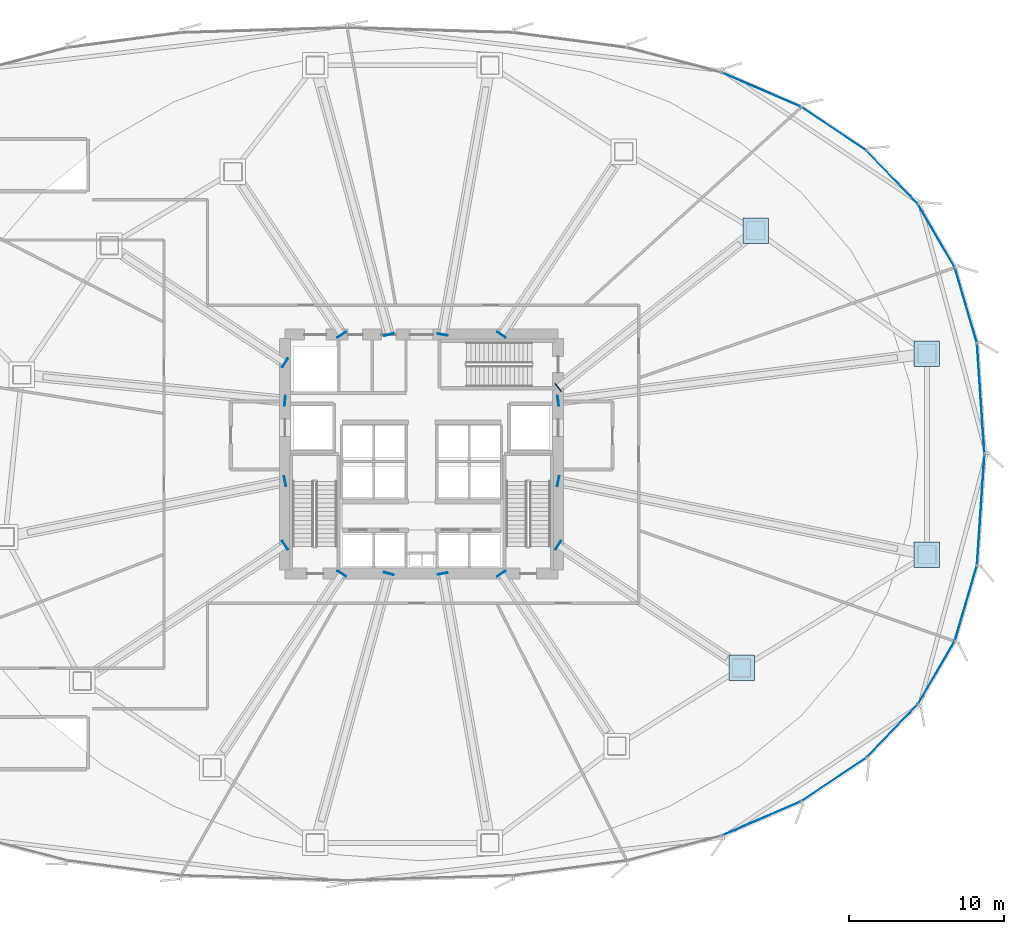
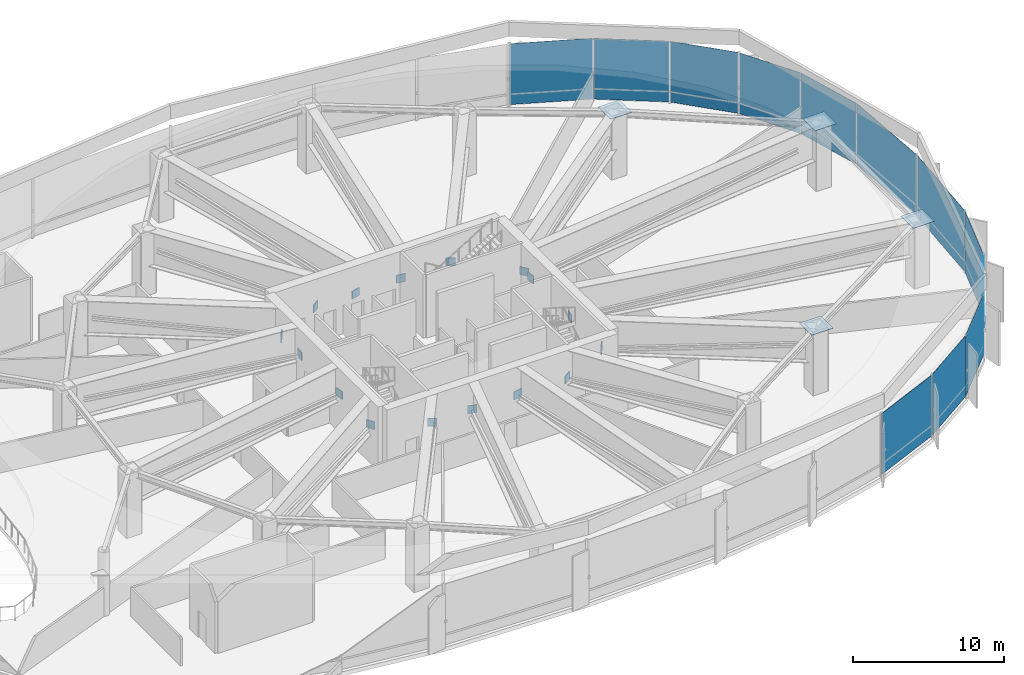
# One storey, part 26 of 36: 32 plates, 2 elements without a shape of their own.
"""IFC4 building model written with IfcOpenShell, lengths in metres."""

from ifc_helpers import new_model, si_unit, direction, frame, origin, origin_2d, place, context, subcontext, project, spatial, rectangle, extrude, source, transform, mapped, material, layer, layer_set, type_object, element, aggregate, save


model = new_model("IFC4")

# Units and contexts
model_context = context("Model", 3, precision=1e-05, world=origin(), true_north=direction((0.0, 1.0)))
body_context = subcontext(model_context, "Body", "Model", "MODEL_VIEW")
ifc_project = project(units=[si_unit("LENGTHUNIT", "METRE"), si_unit("AREAUNIT", "SQUARE_METRE"), si_unit("VOLUMEUNIT", "CUBIC_METRE"), si_unit("PLANEANGLEUNIT", "RADIAN"), si_unit("MASSUNIT", "GRAM", prefix="KILO"), si_unit("THERMODYNAMICTEMPERATUREUNIT", "KELVIN")], contexts=[model_context])

# Site, building, storey
site_placement = place(None, origin())
site = spatial("IfcSite", under=ifc_project, at=site_placement, CompositionType="ELEMENT")
building_placement = place(site_placement, origin())
building = spatial("IfcBuilding", under=site, at=building_placement, Name="Kethvar Cultural Tower", CompositionType="ELEMENT")
storey_placement = place(building_placement, frame((0.0, 0.0, 24.0)))
storey = spatial("IfcBuildingStorey", under=building, at=storey_placement, Name="L05", CompositionType="ELEMENT", Elevation=24.0)

# Plates
ifc_material_1 = material(Name="Steel S460M", Category="steel")
ifc_layer_1 = layer(ifc_material_1, 0.0400390625, Name="Steel S460M", Category="steel")
ifc_layer_set_1 = layer_set([ifc_layer_1], Name="Steel S460M (40 mm)")
plate_type_1 = type_object("IfcPlateType", Name="PL-ENDCAP-BOX", PredefinedType="SHEET", material=ifc_layer_set_1)
shared_shape_1 = source(origin(), body_context, "Body", "SweptSolid", [
    extrude(rectangle(XDim=1.639892578125, YDim=1.639892578125, at=origin_2d()), origin(), (0.0, 0.0, 1.0), 0.0400390625),
])
for number, where, z_axis, x_axis, name in (
    (1, (79.362060546875, 34.277099609375, 5.080078125), (0.0, 0.0, 1.0), (1.0, 0.0, 0.0), "L05 Box Column Diaphragm Cap CP-01"),
    (2, (68.33642578125, 42.190185546875, 5.080078125), (0.0, 0.0, 1.0), (1.0, 0.0, 0.0), "L05 Box Column Diaphragm Cap CP-02"),
    (3, (67.41845703125, 14.023193359375, 5.080078125), (0.0, 0.0, 1.0), (1.0, 0.0, 0.0), "L05 Box Column Diaphragm Cap CP-15"),
    (4, (79.362060546875, 21.322998046875, 5.080078125), (0.0, 0.0, 1.0), (1.0, 0.0, 0.0), "L05 Box Column Diaphragm Cap CP-16"),
):
    element("IfcPlate", number, at=place(storey_placement, frame(where, z_axis=z_axis, x_axis=x_axis)), inside=storey, type_object=plate_type_1, Name=name, PredefinedType="SHEET", context=body_context, shape_type="MappedRepresentation", body=[
        mapped(shared_shape_1, transform((0.0, 0.0, 0.0), scale=1.0)),
    ])
ifc_layer_2 = layer(ifc_material_1, 0.054931640625, Name="Steel S460M", Category="steel")
ifc_layer_set_2 = layer_set([ifc_layer_2], Name="Steel S460M (55 mm)")
plate_type_2 = type_object("IfcPlateType", Name="PL-EMBED-CORE", PredefinedType="SHEET", material=ifc_layer_set_2)
shared_shape_2 = source(origin(), body_context, "Body", "SweptSolid", [
    extrude(rectangle(XDim=0.054931640625, YDim=0.64990234375, at=origin_2d()), origin(), (0.0, 0.0, 1.0), 0.64990234375),
])
for number, where, z_axis, x_axis, name in (
    (5, (55.60009765625, 31.25, 2.324951171875), (0.0, 0.0, 1.0), (0.991982908695, 0.126372104739, 0.0), "L05 Core Wall Cast-In Embed Plate EP-01"),
    (6, (55.60009765625, 32.10009765625, 2.324951171875), (0.0, 0.0, 1.0), (0.783801856128, 0.621010990507, 0.0), "L05 Core Wall Cast-In Embed Plate EP-02"),
    (7, (51.945068359375, 35.5, 2.324951171875), (0.0, 0.0, 1.0), (0.55557023302, 0.831469612303, 0.0), "L05 Core Wall Cast-In Embed Plate EP-03"),
    (8, (48.152587890625, 35.5, 2.324951171875), (0.0, 0.0, 1.0), (0.172960609894, 0.984928742308, 0.0), "L05 Core Wall Cast-In Embed Plate EP-04"),
    (9, (44.6943359375, 35.5, 2.324951171875), (0.0, 0.0, 1.0), (-0.263704698919, 0.964603458302, 0.0), "L05 Core Wall Cast-In Embed Plate EP-05"),
    (10, (41.655029296875, 35.5, 2.324951171875), (0.0, 0.0, 1.0), (-0.55557023302, 0.831469612303, 0.0), "L05 Core Wall Cast-In Embed Plate EP-06"),
    (11, (38.0, 33.679931640625, 2.324951171875), (0.0, 0.0, 1.0), (-0.831469612303, 0.55557023302, 0.0), "L05 Core Wall Cast-In Embed Plate EP-07"),
    (12, (38.0, 31.25, 2.324951171875), (0.0, 0.0, 1.0), (-0.995176169274, 0.098103986207, 0.0), "L05 Core Wall Cast-In Embed Plate EP-08"),
    (13, (38.0, 26.049560546875, 2.324951171875), (0.0, 0.0, 1.0), (-0.980785280403, -0.195090322016, 0.0), "L05 Core Wall Cast-In Embed Plate EP-09"),
    (14, (38.0, 21.919921875, 2.324951171875), (0.0, 0.0, 1.0), (-0.831469612303, -0.55557023302, 0.0), "L05 Core Wall Cast-In Embed Plate EP-10"),
    (15, (41.655029296875, 20.10009765625, 2.324951171875), (0.0, 0.0, 1.0), (-0.55557023302, -0.831469612303, 0.0), "L05 Core Wall Cast-In Embed Plate EP-11"),
    (16, (44.6943359375, 20.10009765625, 2.324951171875), (0.0, 0.0, 1.0), (-0.263704698919, -0.964603458302, 0.0), "L05 Core Wall Cast-In Embed Plate EP-12"),
    (17, (48.152587890625, 20.10009765625, 2.324951171875), (0.0, 0.0, 1.0), (0.172960609894, -0.984928742308, 0.0), "L05 Core Wall Cast-In Embed Plate EP-13"),
    (18, (51.945068359375, 20.10009765625, 2.324951171875), (0.0, 0.0, 1.0), (0.55557023302, -0.831469612303, 0.0), "L05 Core Wall Cast-In Embed Plate EP-14"),
    (19, (55.60009765625, 21.920166015625, 2.324951171875), (0.0, 0.0, 1.0), (0.831469612303, -0.55557023302, 0.0), "L05 Core Wall Cast-In Embed Plate EP-15"),
    (20, (55.60009765625, 26.049560546875, 2.324951171875), (0.0, 0.0, 1.0), (0.980785280403, -0.195090322016, 0.0), "L05 Core Wall Cast-In Embed Plate EP-16"),
):
    element("IfcPlate", number, at=place(storey_placement, frame(where, z_axis=z_axis, x_axis=x_axis)), inside=storey, type_object=plate_type_2, Name=name, PredefinedType="SHEET", context=body_context, shape_type="MappedRepresentation", body=[
        mapped(shared_shape_2, transform((0.0, 0.0, 0.0), scale=1.0)),
    ])

# Curtain wall, plate
ifc_material_2 = material(Name="Aluminium 6063-T6", Category="aluminium")
ifc_layer_3 = layer(ifc_material_2, 0.179931640625, Name="Aluminium 6063-T6", Category="aluminium")
ifc_layer_set_3 = layer_set([ifc_layer_3], Name="Aluminium 6063-T6 (180 mm)")
curtain_wall_type = type_object("IfcCurtainWallType", Name="CW-SYS-01-POD", PredefinedType="NOTDEFINED", material=ifc_layer_set_3)
curtain_wall_1_placement = place(storey_placement, origin())
curtain_wall_1 = element("IfcCurtainWall", 21, at=curtain_wall_1_placement, inside=storey, type_object=curtain_wall_type, Name="L05 Curtain Wall Run 01", PredefinedType="NOTDEFINED")
ifc_material_3 = material(Name="Insulated Low-E Solar Glass", Category="glass")
ifc_layer_4 = layer(ifc_material_3, 0.035888671875, Name="Insulated Low-E Solar Glass", Category="glass")
ifc_layer_set_4 = layer_set([ifc_layer_4], Name="Insulated Low-E Solar Glass (36 mm)")
plate_type_3 = type_object("IfcPlateType", Name="CW-SYS-01-POD-PNL", PredefinedType="CURTAIN_PANEL", material=ifc_layer_set_4)
shared_shape_3 = source(origin(), body_context, "Body", "SweptSolid", [
    extrude(rectangle(XDim=7.086669921875, YDim=0.035888671875, at=origin_2d()), origin(), (0.0, 0.0, 1.0), 4.89990234375),
])
plate_1_placement = place(storey_placement, frame((82.8291015625, 31.380615234375, 0.110107421875), z_axis=(0.0, 0.0, 1.0), x_axis=(-0.067040137302, 0.997750279374, 0.0)))
plate_1 = element("IfcPlate", 22, at=plate_1_placement, type_object=plate_type_3, Name="CW-L05-R01 Vision Glazing Panel 1", PredefinedType="CURTAIN_PANEL", context=body_context, shape_type="MappedRepresentation", body=[
    mapped(shared_shape_3, transform((0.0, 0.0, 0.0), scale=1.0)),
])

curtain_wall_2_placement = place(storey_placement, origin())
curtain_wall_2 = element("IfcCurtainWall", 23, at=curtain_wall_2_placement, inside=storey, type_object=curtain_wall_type, Name="L05 Curtain Wall Run 06", PredefinedType="NOTDEFINED")
plate_2_placement = place(storey_placement, frame((82.8291015625, 24.219482421875, 0.110107421875), z_axis=(0.0, 0.0, 1.0), x_axis=(0.067040137302, 0.997750279374, 0.0)))
plate_2 = element("IfcPlate", 24, at=plate_2_placement, type_object=plate_type_3, Name="CW-L05-R06 Vision Glazing Panel 6", PredefinedType="CURTAIN_PANEL", context=body_context, shape_type="MappedRepresentation", body=[
    mapped(shared_shape_3, transform((0.0, 0.0, 0.0), scale=1.0)),
])

# Plate
shared_shape_4 = source(origin(), body_context, "Body", "SweptSolid", [
    extrude(rectangle(XDim=5.012451171875, YDim=0.035888671875, at=origin_2d()), origin(), (0.0, 0.0, 1.0), 4.89990234375),
])
plate_3_placement = place(storey_placement, frame((81.87158203125, 37.398681640625, 0.110107421875), z_axis=(0.0, 0.0, 1.0), x_axis=(-0.28172190008, 0.959496102658, 0.0)))
plate_3 = element("IfcPlate", 25, at=plate_3_placement, type_object=plate_type_3, Name="CW-L05-R01 Vision Glazing Panel 2", PredefinedType="CURTAIN_PANEL", context=body_context, shape_type="MappedRepresentation", body=[
    mapped(shared_shape_4, transform((0.0, 0.0, 0.0), scale=1.0)),
])

plate_4_placement = place(storey_placement, frame((81.87158203125, 18.201416015625, 0.110107421875), z_axis=(0.0, 0.0, 1.0), x_axis=(0.28172190008, 0.959496102658, 0.0)))
plate_4 = element("IfcPlate", 26, at=plate_4_placement, type_object=plate_type_3, Name="CW-L05-R06 Vision Glazing Panel 5", PredefinedType="CURTAIN_PANEL", context=body_context, shape_type="MappedRepresentation", body=[
    mapped(shared_shape_4, transform((0.0, 0.0, 0.0), scale=1.0)),
])

shared_shape_5 = source(origin(), body_context, "Body", "SweptSolid", [
    extrude(rectangle(XDim=4.639892578125, YDim=0.035888671875, at=origin_2d()), origin(), (0.0, 0.0, 1.0), 4.89990234375),
])
plate_5_placement = place(storey_placement, frame((79.967529296875, 41.877197265625, 0.110107421875), z_axis=(0.0, 0.0, 1.0), x_axis=(-0.503517649721, 0.863984939927, 0.0)))
plate_5 = element("IfcPlate", 27, at=plate_5_placement, type_object=plate_type_3, Name="CW-L05-R01 Vision Glazing Panel 3", PredefinedType="CURTAIN_PANEL", context=body_context, shape_type="MappedRepresentation", body=[
    mapped(shared_shape_5, transform((0.0, 0.0, 0.0), scale=1.0)),
])

plate_6_placement = place(storey_placement, frame((79.967529296875, 13.72265625, 0.110107421875), z_axis=(0.0, 0.0, 1.0), x_axis=(0.503517649721, 0.863984939927, 0.0)))
plate_6 = element("IfcPlate", 28, at=plate_6_placement, type_object=plate_type_3, Name="CW-L05-R06 Vision Glazing Panel 4", PredefinedType="CURTAIN_PANEL", context=body_context, shape_type="MappedRepresentation", body=[
    mapped(shared_shape_5, transform((0.0, 0.0, 0.0), scale=1.0)),
])

shared_shape_6 = source(origin(), body_context, "Body", "SweptSolid", [
    extrude(rectangle(XDim=4.682373046875, YDim=0.035888671875, at=origin_2d()), origin(), (0.0, 0.0, 1.0), 4.89990234375),
])
plate_7_placement = place(storey_placement, frame((77.130126953125, 45.629638671875, 0.110107421875), z_axis=(0.0, 0.0, 1.0), x_axis=(-0.693338945689, 0.720611619661, 0.0)))
plate_7 = element("IfcPlate", 29, at=plate_7_placement, type_object=plate_type_3, Name="CW-L05-R01 Vision Glazing Panel 4", PredefinedType="CURTAIN_PANEL", context=body_context, shape_type="MappedRepresentation", body=[
    mapped(shared_shape_6, transform((0.0, 0.0, 0.0), scale=1.0)),
])

plate_8_placement = place(storey_placement, frame((77.130126953125, 9.97021484375, 0.110107421875), z_axis=(0.0, 0.0, 1.0), x_axis=(0.693338945689, 0.720611619661, 0.0)))
plate_8 = element("IfcPlate", 30, at=plate_8_placement, type_object=plate_type_3, Name="CW-L05-R06 Vision Glazing Panel 3", PredefinedType="CURTAIN_PANEL", context=body_context, shape_type="MappedRepresentation", body=[
    mapped(shared_shape_6, transform((0.0, 0.0, 0.0), scale=1.0)),
])

shared_shape_7 = source(origin(), body_context, "Body", "SweptSolid", [
    extrude(rectangle(XDim=4.99169921875, YDim=0.035888671875, at=origin_2d()), origin(), (0.0, 0.0, 1.0), 4.89990234375),
])
plate_9_placement = place(storey_placement, frame((73.372314453125, 48.7568359375, 0.110107421875), z_axis=(0.0, 0.0, 1.0), x_axis=(-0.830809662848, 0.556556649514, 0.0)))
plate_9 = element("IfcPlate", 31, at=plate_9_placement, type_object=plate_type_3, Name="CW-L05-R01 Vision Glazing Panel 5", PredefinedType="CURTAIN_PANEL", context=body_context, shape_type="MappedRepresentation", body=[
    mapped(shared_shape_7, transform((0.0, 0.0, 0.0), scale=1.0)),
])

plate_10_placement = place(storey_placement, frame((73.372314453125, 6.84326171875, 0.110107421875), z_axis=(0.0, 0.0, 1.0), x_axis=(0.830809662848, 0.556556649514, 0.0)))
plate_10 = element("IfcPlate", 32, at=plate_10_placement, type_object=plate_type_3, Name="CW-L05-R06 Vision Glazing Panel 2", PredefinedType="CURTAIN_PANEL", context=body_context, shape_type="MappedRepresentation", body=[
    mapped(shared_shape_7, transform((0.0, 0.0, 0.0), scale=1.0)),
])

shared_shape_8 = source(origin(), body_context, "Body", "SweptSolid", [
    extrude(rectangle(XDim=5.5048828125, YDim=0.035888671875, at=origin_2d()), origin(), (0.0, 0.0, 1.0), 4.89990234375),
])
plate_11_placement = place(storey_placement, frame((68.6982421875, 51.277099609375, 0.110107421875), z_axis=(0.0, 0.0, 1.0), x_axis=(-0.918073180633, 0.396410942082, 0.0)))
plate_11 = element("IfcPlate", 33, at=plate_11_placement, type_object=plate_type_3, Name="CW-L05-R01 Vision Glazing Panel 6", PredefinedType="CURTAIN_PANEL", context=body_context, shape_type="MappedRepresentation", body=[
    mapped(shared_shape_8, transform((0.0, 0.0, 0.0), scale=1.0)),
])

aggregate(curtain_wall_1, [plate_1, plate_3, plate_5, plate_7, plate_9, plate_11])

plate_12_placement = place(storey_placement, frame((68.6982421875, 4.32275390625, 0.110107421875), z_axis=(0.0, 0.0, 1.0), x_axis=(0.918073180633, 0.396410942082, 0.0)))
plate_12 = element("IfcPlate", 34, at=plate_12_placement, type_object=plate_type_3, Name="CW-L05-R06 Vision Glazing Panel 1", PredefinedType="CURTAIN_PANEL", context=body_context, shape_type="MappedRepresentation", body=[
    mapped(shared_shape_8, transform((0.0, 0.0, 0.0), scale=1.0)),
])

aggregate(curtain_wall_2, [plate_12, plate_10, plate_8, plate_6, plate_4, plate_2])

save(model, "model.ifc")
